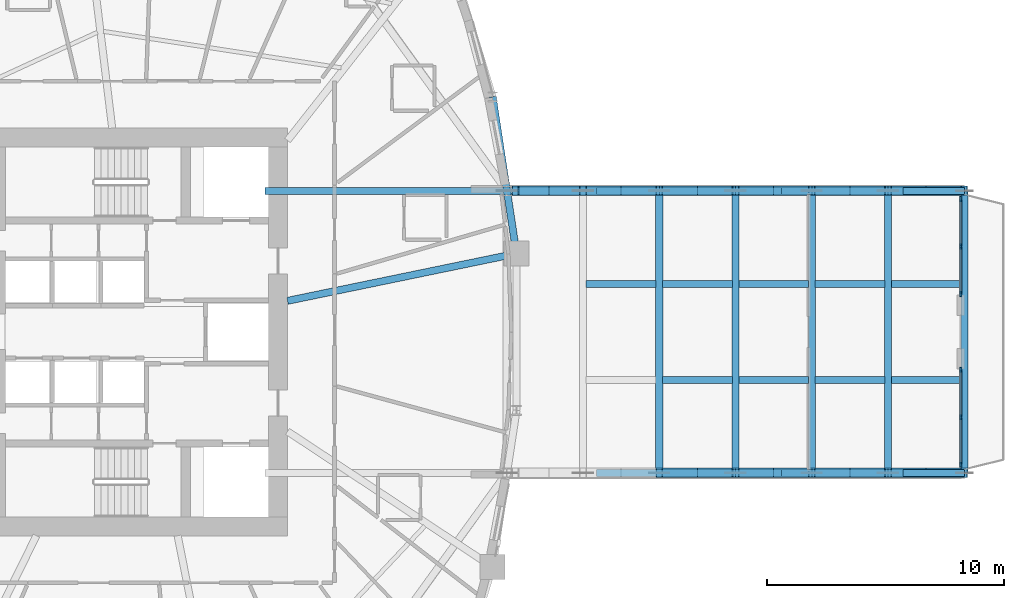
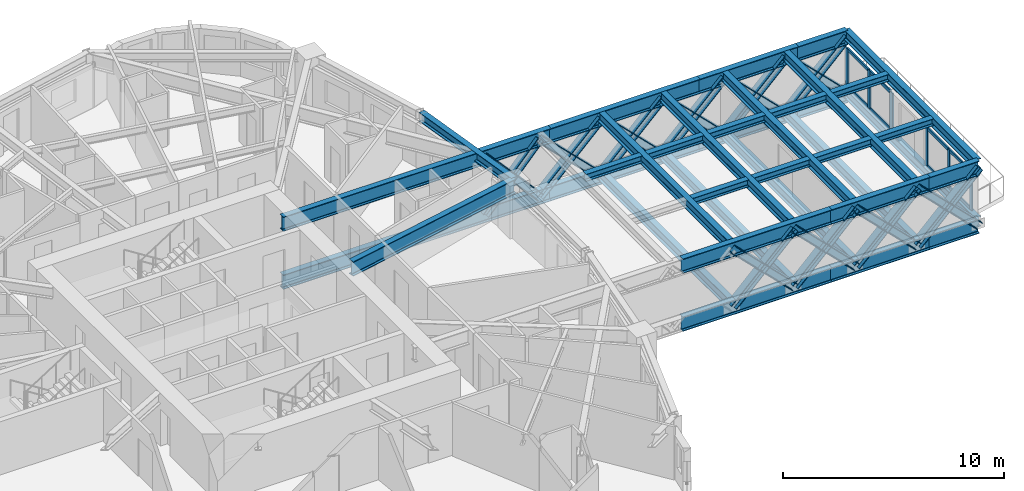
# One storey, part 2 of 18: 35 beams, 34 members, 2 elements without a shape of their own.
"""IFC4 building model written with IfcOpenShell, lengths in metres."""

from ifc_helpers import new_model, si_unit, direction, frame, origin, origin_2d, place, context, subcontext, project, spatial, rectangle, i_section, extrude, source, transform, mapped, material, layer, layer_set, material_profile, profile_set, type_object, element, aggregate, save


model = new_model("IFC4")

# Units and contexts
model_context = context("Model", 3, precision=1e-05, world=origin(), true_north=direction((0.0, 1.0)))
body_context = subcontext(model_context, "Body", "Model", "MODEL_VIEW")
ifc_project = project(units=[si_unit("LENGTHUNIT", "METRE"), si_unit("AREAUNIT", "SQUARE_METRE"), si_unit("VOLUMEUNIT", "CUBIC_METRE"), si_unit("PLANEANGLEUNIT", "RADIAN"), si_unit("MASSUNIT", "GRAM", prefix="KILO")], contexts=[model_context])

# Site, building, storey
site_placement = place(None, origin())
site = spatial("IfcSite", under=ifc_project, at=site_placement, CompositionType="ELEMENT")
building_placement = place(site_placement, origin())
building = spatial("IfcBuilding", under=site, at=building_placement, Name="Qafzar Sky-Pleat Residences", CompositionType="ELEMENT")
storey_placement = place(building_placement, frame((0.0, 0.0, 27.0)))
storey = spatial("IfcBuildingStorey", under=building, at=storey_placement, Name="L07", CompositionType="ELEMENT", Elevation=27.0)

# Beams
ifc_material_1 = material(Name="Steel S355", Category="steel")
ifc_material_profile_1 = material_profile(ifc_material_1, i_section(OverallWidth=0.300048828125, OverallDepth=0.5, WebThickness=0.014404296875, FlangeThickness=0.028076171875, FilletRadius=0.027099609375, at=origin_2d()), Name="HEB 500")
ifc_profile_set_1 = profile_set([ifc_material_profile_1], Name="Steel S355")
beam_type_1 = type_object("IfcBeamType", Name="BM-SPAN-HEB500", PredefinedType="SPANDREL", material=ifc_profile_set_1)
shared_shape_1 = source(origin(), body_context, "Body", "SweptSolid", [
    extrude(i_section(OverallWidth=0.300048828125, OverallDepth=0.5, WebThickness=0.014404296875, FlangeThickness=0.028076171875, FilletRadius=0.027099609375, at=origin_2d()), origin(), (0.0, 0.0, 1.0), 6.68896484375),
])
beam_1_placement = place(storey_placement, frame((46.360595703125, 29.306396484375, 2.68310546875), z_axis=(-0.150301631431, 0.98864018712, 0.0), x_axis=(-0.98864018712, -0.150301631431, 0.0)))
element("IfcBeam", 1, at=beam_1_placement, inside=storey, type_object=beam_type_1, Name="L07 Perimeter Spandrel Beam 11", PredefinedType="SPANDREL", context=body_context, shape_type="MappedRepresentation", body=[
    mapped(shared_shape_1, transform((0.0, 0.0, 0.0), x_axis=(1.0, 0.0, 0.0), y_axis=(0.0, 1.0, 0.0), z_axis=(0.0, 0.0, 1.0), scale=1.0)),
])
ifc_material_2 = material(Name="Steel S460", Category="steel")
ifc_material_profile_2 = material_profile(ifc_material_2, i_section(OverallWidth=0.300048828125, OverallDepth=0.800048828125, WebThickness=0.017578125, FlangeThickness=0.032958984375, FilletRadius=0.030029296875, at=origin_2d()), Name="HEB 800")
ifc_profile_set_2 = profile_set([ifc_material_profile_2], Name="Steel S460")
beam_type_2 = type_object("IfcBeamType", Name="BM-CHORD-HEB800", PredefinedType="BEAM", material=ifc_profile_set_2)
shared_shape_2 = source(origin(), body_context, "Body", "SweptSolid", [
    extrude(i_section(OverallWidth=0.300048828125, OverallDepth=0.800048828125, WebThickness=0.017578125, FlangeThickness=0.032958984375, FilletRadius=0.030029296875, at=origin_2d()), origin(), (0.0, 0.0, 1.0), 9.864501953125),
])
beam_2_placement = place(storey_placement, frame((46.360595703125, 29.306396484375, 2.532958984375), z_axis=(-0.979333503266, -0.202252044192, 0.0), x_axis=(0.202252044192, -0.979333503266, 0.0)))
element("IfcBeam", 2, at=beam_2_placement, inside=storey, type_object=beam_type_2, Name="L07 Radial Floor Girder 11", PredefinedType="BEAM", context=body_context, shape_type="MappedRepresentation", body=[
    mapped(shared_shape_2, transform((0.0, 0.0, 0.0), x_axis=(1.0, 0.0, 0.0), y_axis=(0.0, 1.0, 0.0), z_axis=(0.0, 0.0, 1.0), scale=1.0)),
])
shared_shape_3 = source(origin(), body_context, "Body", "SweptSolid", [
    extrude(i_section(OverallWidth=0.300048828125, OverallDepth=0.800048828125, WebThickness=0.017578125, FlangeThickness=0.032958984375, FilletRadius=0.030029296875, at=origin_2d()), origin(), (0.0, 0.0, 1.0), 14.0048828125),
])
for number, where, z_axis, x_axis, name in (
    (3, (35.75, 31.949951171875, 2.532958984375), (1.0, 0.0, 0.0), (0.0, 1.0, 0.0), "L07 SB-1 Truss Chord L1"),
    (4, (35.75, 31.949951171875, -0.6669921875), (1.0, 0.0, 0.0), (0.0, 1.0, 0.0), "L07 SB-1 Bottom Chord L1"),
):
    element("IfcBeam", number, at=place(storey_placement, frame(where, z_axis=z_axis, x_axis=x_axis)), inside=storey, type_object=beam_type_2, Name=name, PredefinedType="BEAM", context=body_context, shape_type="MappedRepresentation", body=[
        mapped(shared_shape_3, transform((0.0, 0.0, 0.0), x_axis=(1.0, 0.0, 0.0), y_axis=(0.0, 1.0, 0.0), z_axis=(0.0, 0.0, 1.0), scale=1.0)),
    ])
shared_shape_4 = source(origin(), body_context, "Body", "SweptSolid", [
    extrude(i_section(OverallWidth=0.300048828125, OverallDepth=0.800048828125, WebThickness=0.017578125, FlangeThickness=0.032958984375, FilletRadius=0.030029296875, at=origin_2d()), origin(), (0.0, 0.0, 1.0), 7.809814453125),
])
for number, where, z_axis, x_axis, name in (
    (5, (49.7451171875, 31.949951171875, 2.532958984375), (1.0, 0.0, 0.0), (0.0, 1.0, 0.0), "L07 SB-1 Truss Chord L2"),
    (6, (49.7451171875, 31.949951171875, -0.6669921875), (1.0, 0.0, 0.0), (0.0, 1.0, 0.0), "L07 SB-1 Bottom Chord L2"),
    (7, (49.7451171875, 20.050048828125, 2.532958984375), (1.0, 0.0, 0.0), (0.0, 1.0, 0.0), "L07 SB-1 Truss Chord R2"),
    (8, (49.7451171875, 20.050048828125, -0.6669921875), (1.0, 0.0, 0.0), (0.0, 1.0, 0.0), "L07 SB-1 Bottom Chord R2"),
):
    element("IfcBeam", number, at=place(storey_placement, frame(where, z_axis=z_axis, x_axis=x_axis)), inside=storey, type_object=beam_type_2, Name=name, PredefinedType="BEAM", context=body_context, shape_type="MappedRepresentation", body=[
        mapped(shared_shape_4, transform((0.0, 0.0, 0.0), x_axis=(1.0, 0.0, 0.0), y_axis=(0.0, 1.0, 0.0), z_axis=(0.0, 0.0, 1.0), scale=1.0)),
    ])
shared_shape_5 = source(origin(), body_context, "Body", "SweptSolid", [
    extrude(i_section(OverallWidth=0.300048828125, OverallDepth=0.800048828125, WebThickness=0.017578125, FlangeThickness=0.032958984375, FilletRadius=0.030029296875, at=origin_2d()), origin(), (0.0, 0.0, 1.0), 5.14208984375),
])
for number, where, z_axis, x_axis, name in (
    (9, (57.544921875, 31.949951171875, 2.532958984375), (1.0, 0.0, 0.0), (0.0, 1.0, 0.0), "L07 SB-1 Truss Chord L3"),
    (10, (57.544921875, 31.949951171875, -0.6669921875), (1.0, 0.0, 0.0), (0.0, 1.0, 0.0), "L07 SB-1 Bottom Chord L3"),
    (11, (57.544921875, 20.050048828125, 2.532958984375), (1.0, 0.0, 0.0), (0.0, 1.0, 0.0), "L07 SB-1 Truss Chord R3"),
    (12, (57.544921875, 20.050048828125, -0.6669921875), (1.0, 0.0, 0.0), (0.0, 1.0, 0.0), "L07 SB-1 Bottom Chord R3"),
):
    element("IfcBeam", number, at=place(storey_placement, frame(where, z_axis=z_axis, x_axis=x_axis)), inside=storey, type_object=beam_type_2, Name=name, PredefinedType="BEAM", context=body_context, shape_type="MappedRepresentation", body=[
        mapped(shared_shape_5, transform((0.0, 0.0, 0.0), x_axis=(1.0, 0.0, 0.0), y_axis=(0.0, 1.0, 0.0), z_axis=(0.0, 0.0, 1.0), scale=1.0)),
    ])
shared_shape_6 = source(origin(), body_context, "Body", "SweptSolid", [
    extrude(i_section(OverallWidth=0.300048828125, OverallDepth=0.800048828125, WebThickness=0.017578125, FlangeThickness=0.032958984375, FilletRadius=0.030029296875, at=origin_2d()), origin(), (0.0, 0.0, 1.0), 2.577392578125),
])
for number, where, z_axis, x_axis, name in (
    (13, (62.677001953125, 31.949951171875, 2.532958984375), (1.0, 0.0, 0.0), (0.0, 1.0, 0.0), "L07 SB-1 Truss Chord L4"),
    (14, (62.677001953125, 31.949951171875, -0.6669921875), (1.0, 0.0, 0.0), (0.0, 1.0, 0.0), "L07 SB-1 Bottom Chord L4"),
    (15, (62.677001953125, 20.050048828125, 2.532958984375), (1.0, 0.0, 0.0), (0.0, 1.0, 0.0), "L07 SB-1 Truss Chord R4"),
    (16, (62.677001953125, 20.050048828125, -0.6669921875), (1.0, 0.0, 0.0), (0.0, 1.0, 0.0), "L07 SB-1 Bottom Chord R4"),
):
    element("IfcBeam", number, at=place(storey_placement, frame(where, z_axis=z_axis, x_axis=x_axis)), inside=storey, type_object=beam_type_2, Name=name, PredefinedType="BEAM", context=body_context, shape_type="MappedRepresentation", body=[
        mapped(shared_shape_6, transform((0.0, 0.0, 0.0), x_axis=(1.0, 0.0, 0.0), y_axis=(0.0, 1.0, 0.0), z_axis=(0.0, 0.0, 1.0), scale=1.0)),
    ])

# Members
ifc_material_profile_3 = material_profile(ifc_material_2, i_section(OverallWidth=0.40087890625, OverallDepth=0.39892578125, WebThickness=0.02294921875, FlangeThickness=0.035888671875, FilletRadius=0.014892578125, at=origin_2d()), Name="HD 400x314")
ifc_profile_set_3 = profile_set([ifc_material_profile_3], Name="Steel S460")
member_type_1 = type_object("IfcMemberType", Name="MEM-SB-DIAG", PredefinedType="BRACE", material=ifc_profile_set_3)
shared_shape_7 = source(origin(), body_context, "Body", "SweptSolid", [
    extrude(i_section(OverallWidth=0.40087890625, OverallDepth=0.39892578125, WebThickness=0.02294921875, FlangeThickness=0.035888671875, FilletRadius=0.014892578125, at=origin_2d()), origin(), (0.0, 0.0, 1.0), 4.2900390625),
])
for number, where, z_axis, x_axis, name in (
    (17, (46.31005859375, 31.949951171875, -0.6669921875), (0.666057611592, 0.0, 0.745900300336), (0.0, 1.0, 0.0), "L07 SB-1 Truss Web Diagonal L1A"),
    (18, (46.31005859375, 31.949951171875, 2.532958984375), (0.666057611592, 0.0, -0.745900300336), (0.0, 1.0, 0.0), "L07 SB-1 Truss Web Diagonal L1B"),
):
    element("IfcMember", number, at=place(storey_placement, frame(where, z_axis=z_axis, x_axis=x_axis)), inside=storey, type_object=member_type_1, Name=name, PredefinedType="BRACE", context=body_context, shape_type="MappedRepresentation", body=[
        mapped(shared_shape_7, transform((0.0, 0.0, 0.0), x_axis=(1.0, 0.0, 0.0), y_axis=(0.0, 1.0, 0.0), z_axis=(0.0, 0.0, 1.0), scale=1.0)),
    ])
shared_shape_8 = source(origin(), body_context, "Body", "SweptSolid", [
    extrude(i_section(OverallWidth=0.40087890625, OverallDepth=0.39892578125, WebThickness=0.02294921875, FlangeThickness=0.035888671875, FilletRadius=0.014892578125, at=origin_2d()), origin(), (0.0, 0.0, 1.0), 4.53759765625),
])
for number, where, z_axis, x_axis, name in (
    (19, (49.16748046875, 31.949951171875, -0.6669921875), (0.709014203419, 0.0, 0.705194199743), (0.0, 1.0, 0.0), "L07 SB-1 Truss Web Diagonal L2A"),
    (20, (49.16748046875, 31.949951171875, 2.532958984375), (0.709014203419, 0.0, -0.705194199743), (0.0, 1.0, 0.0), "L07 SB-1 Truss Web Diagonal L2B"),
    (21, (55.602294921875, 31.949951171875, -0.6669921875), (0.709014203419, 0.0, 0.705194199743), (0.0, 1.0, 0.0), "L07 SB-1 Truss Web Diagonal L4A"),
    (22, (55.602294921875, 31.949951171875, 2.532958984375), (0.709014203419, 0.0, -0.705194199743), (0.0, 1.0, 0.0), "L07 SB-1 Truss Web Diagonal L4B"),
    (23, (62.037109375, 31.949951171875, -0.6669921875), (0.709014203419, 0.0, 0.705194199743), (0.0, 1.0, 0.0), "L07 SB-1 Truss Web Diagonal L6A"),
    (24, (62.037109375, 31.949951171875, 2.532958984375), (0.709014203419, 0.0, -0.705194199743), (0.0, 1.0, 0.0), "L07 SB-1 Truss Web Diagonal L6B"),
    (25, (55.602294921875, 20.050048828125, -0.6669921875), (0.709014203419, 0.0, 0.705194199743), (0.0, 1.0, 0.0), "L07 SB-1 Truss Web Diagonal R4A"),
    (26, (55.602294921875, 20.050048828125, 2.532958984375), (0.709014203419, 0.0, -0.705194199743), (0.0, 1.0, 0.0), "L07 SB-1 Truss Web Diagonal R4B"),
    (27, (62.037109375, 20.050048828125, -0.6669921875), (0.709014203419, 0.0, 0.705194199743), (0.0, 1.0, 0.0), "L07 SB-1 Truss Web Diagonal R6A"),
    (28, (62.037109375, 20.050048828125, 2.532958984375), (0.709014203419, 0.0, -0.705194199743), (0.0, 1.0, 0.0), "L07 SB-1 Truss Web Diagonal R6B"),
):
    element("IfcMember", number, at=place(storey_placement, frame(where, z_axis=z_axis, x_axis=x_axis)), inside=storey, type_object=member_type_1, Name=name, PredefinedType="BRACE", context=body_context, shape_type="MappedRepresentation", body=[
        mapped(shared_shape_8, transform((0.0, 0.0, 0.0), x_axis=(1.0, 0.0, 0.0), y_axis=(0.0, 1.0, 0.0), z_axis=(0.0, 0.0, 1.0), scale=1.0)),
    ])
shared_shape_9 = source(origin(), body_context, "Body", "SweptSolid", [
    extrude(i_section(OverallWidth=0.40087890625, OverallDepth=0.39892578125, WebThickness=0.02294921875, FlangeThickness=0.035888671875, FilletRadius=0.014892578125, at=origin_2d()), origin(), (0.0, 0.0, 1.0), 4.537841796875),
])
for number, where, z_axis, x_axis, name in (
    (29, (52.384765625, 31.949951171875, -0.6669921875), (0.709040957993, 0.0, 0.705167299219), (0.0, 1.0, 0.0), "L07 SB-1 Truss Web Diagonal L3A"),
    (30, (52.384765625, 31.949951171875, 2.532958984375), (0.709040957993, 0.0, -0.705167299219), (0.0, 1.0, 0.0), "L07 SB-1 Truss Web Diagonal L3B"),
    (31, (58.819580078125, 31.949951171875, -0.6669921875), (0.709040957993, 0.0, 0.705167299219), (0.0, 1.0, 0.0), "L07 SB-1 Truss Web Diagonal L5A"),
    (32, (58.819580078125, 31.949951171875, 2.532958984375), (0.709040957993, 0.0, -0.705167299219), (0.0, 1.0, 0.0), "L07 SB-1 Truss Web Diagonal L5B"),
    (33, (52.384765625, 20.050048828125, -0.6669921875), (0.709040957993, 0.0, 0.705167299219), (0.0, 1.0, 0.0), "L07 SB-1 Truss Web Diagonal R3A"),
    (34, (52.384765625, 20.050048828125, 2.532958984375), (0.709040957993, 0.0, -0.705167299219), (0.0, 1.0, 0.0), "L07 SB-1 Truss Web Diagonal R3B"),
    (35, (58.819580078125, 20.050048828125, -0.6669921875), (0.709040957993, 0.0, 0.705167299219), (0.0, 1.0, 0.0), "L07 SB-1 Truss Web Diagonal R5A"),
    (36, (58.819580078125, 20.050048828125, 2.532958984375), (0.709040957993, 0.0, -0.705167299219), (0.0, 1.0, 0.0), "L07 SB-1 Truss Web Diagonal R5B"),
):
    element("IfcMember", number, at=place(storey_placement, frame(where, z_axis=z_axis, x_axis=x_axis)), inside=storey, type_object=member_type_1, Name=name, PredefinedType="BRACE", context=body_context, shape_type="MappedRepresentation", body=[
        mapped(shared_shape_9, transform((0.0, 0.0, 0.0), x_axis=(1.0, 0.0, 0.0), y_axis=(0.0, 1.0, 0.0), z_axis=(0.0, 0.0, 1.0), scale=1.0)),
    ])

# Beams
ifc_material_profile_4 = material_profile(ifc_material_1, i_section(OverallWidth=0.300048828125, OverallDepth=0.550048828125, WebThickness=0.014892578125, FlangeThickness=0.029052734375, FilletRadius=0.027099609375, at=origin_2d()), Name="HEB 550")
ifc_profile_set_4 = profile_set([ifc_material_profile_4], Name="Steel S355")
beam_type_3 = type_object("IfcBeamType", Name="BM-GIRD-HEB550", PredefinedType="BEAM", material=ifc_profile_set_4)
shared_shape_10 = source(origin(), body_context, "Body", "SweptSolid", [
    extrude(i_section(OverallWidth=0.300048828125, OverallDepth=0.550048828125, WebThickness=0.014892578125, FlangeThickness=0.029052734375, FilletRadius=0.027099609375, at=origin_2d()), origin(), (0.0, 0.0, 1.0), 11.89990234375),
])
for number, where, z_axis, x_axis, name in (
    (37, (52.384765625, 31.949951171875, 2.657958984375), (0.0, -1.0, 0.0), (1.0, 0.0, 0.0), "L07 SB-1 Transverse Girder 2"),
    (38, (52.384765625, 31.949951171875, -0.5419921875), (0.0, -1.0, 0.0), (1.0, 0.0, 0.0), "L07 SB-1 Bottom Transverse Girder 2"),
    (39, (55.602294921875, 31.949951171875, 2.657958984375), (0.0, -1.0, 0.0), (1.0, 0.0, 0.0), "L07 SB-1 Transverse Girder 3"),
    (40, (55.602294921875, 31.949951171875, -0.5419921875), (0.0, -1.0, 0.0), (1.0, 0.0, 0.0), "L07 SB-1 Bottom Transverse Girder 3"),
    (41, (58.819580078125, 31.949951171875, 2.657958984375), (0.0, -1.0, 0.0), (1.0, 0.0, 0.0), "L07 SB-1 Transverse Girder 4"),
    (42, (58.819580078125, 31.949951171875, -0.5419921875), (0.0, -1.0, 0.0), (1.0, 0.0, 0.0), "L07 SB-1 Bottom Transverse Girder 4"),
    (43, (62.037109375, 31.949951171875, 2.657958984375), (0.0, -1.0, 0.0), (1.0, 0.0, 0.0), "L07 SB-1 Transverse Girder 5"),
    (44, (62.037109375, 31.949951171875, -0.5419921875), (0.0, -1.0, 0.0), (1.0, 0.0, 0.0), "L07 SB-1 Bottom Transverse Girder 5"),
    (45, (65.25439453125, 31.949951171875, 2.657958984375), (0.0, -1.0, 0.0), (1.0, 0.0, 0.0), "L07 SB-1 Transverse Girder 6"),
    (46, (65.25439453125, 31.949951171875, -0.5419921875), (0.0, -1.0, 0.0), (1.0, 0.0, 0.0), "L07 SB-1 Bottom Transverse Girder 6"),
):
    element("IfcBeam", number, at=place(storey_placement, frame(where, z_axis=z_axis, x_axis=x_axis)), inside=storey, type_object=beam_type_3, Name=name, PredefinedType="BEAM", context=body_context, shape_type="MappedRepresentation", body=[
        mapped(shared_shape_10, transform((0.0, 0.0, 0.0), x_axis=(1.0, 0.0, 0.0), y_axis=(0.0, 1.0, 0.0), z_axis=(0.0, 0.0, 1.0), scale=1.0)),
    ])
ifc_material_profile_5 = material_profile(ifc_material_1, i_section(OverallWidth=0.300048828125, OverallDepth=0.389892578125, WebThickness=0.010986328125, FlangeThickness=0.01904296875, FilletRadius=0.027099609375, at=origin_2d()), Name="HEA 400")
ifc_profile_set_5 = profile_set([ifc_material_profile_5], Name="Steel S355")
beam_type_4 = type_object("IfcBeamType", Name="BM-SBJ-HEA400", PredefinedType="JOIST", material=ifc_profile_set_5)
shared_shape_11 = source(origin(), body_context, "Body", "SweptSolid", [
    extrude(i_section(OverallWidth=0.300048828125, OverallDepth=0.389892578125, WebThickness=0.010986328125, FlangeThickness=0.01904296875, FilletRadius=0.027099609375, at=origin_2d()), origin(), (0.0, 0.0, 1.0), 2.947265625),
])
for number, where, z_axis, x_axis, name in (
    (47, (49.302490234375, 28.02294921875, 2.738037109375), (1.0, 0.0, 0.0), (0.0, 1.0, 0.0), "L07 SB-1 Sky-Bar Secondary Deck Joist 2.2"),
    (48, (62.172119140625, 23.97705078125, 2.738037109375), (1.0, 0.0, 0.0), (0.0, 1.0, 0.0), "L07 SB-1 Sky-Bar Secondary Deck Joist 6.1"),
    (49, (62.172119140625, 28.02294921875, 2.738037109375), (1.0, 0.0, 0.0), (0.0, 1.0, 0.0), "L07 SB-1 Sky-Bar Secondary Deck Joist 6.2"),
):
    element("IfcBeam", number, at=place(storey_placement, frame(where, z_axis=z_axis, x_axis=x_axis)), inside=storey, type_object=beam_type_4, Name=name, PredefinedType="JOIST", context=body_context, shape_type="MappedRepresentation", body=[
        mapped(shared_shape_11, transform((0.0, 0.0, 0.0), x_axis=(1.0, 0.0, 0.0), y_axis=(0.0, 1.0, 0.0), z_axis=(0.0, 0.0, 1.0), scale=1.0)),
    ])
shared_shape_12 = source(origin(), body_context, "Body", "SweptSolid", [
    extrude(i_section(OverallWidth=0.300048828125, OverallDepth=0.389892578125, WebThickness=0.010986328125, FlangeThickness=0.01904296875, FilletRadius=0.027099609375, at=origin_2d()), origin(), (0.0, 0.0, 1.0), 2.947509765625),
])
for number, where, z_axis, x_axis, name in (
    (50, (52.519775390625, 23.97705078125, 2.738037109375), (1.0, 0.0, 0.0), (0.0, 1.0, 0.0), "L07 SB-1 Sky-Bar Secondary Deck Joist 3.1"),
    (51, (52.519775390625, 28.02294921875, 2.738037109375), (1.0, 0.0, 0.0), (0.0, 1.0, 0.0), "L07 SB-1 Sky-Bar Secondary Deck Joist 3.2"),
    (52, (55.7373046875, 23.97705078125, 2.738037109375), (1.0, 0.0, 0.0), (0.0, 1.0, 0.0), "L07 SB-1 Sky-Bar Secondary Deck Joist 4.1"),
    (53, (55.7373046875, 28.02294921875, 2.738037109375), (1.0, 0.0, 0.0), (0.0, 1.0, 0.0), "L07 SB-1 Sky-Bar Secondary Deck Joist 4.2"),
    (54, (58.95458984375, 23.97705078125, 2.738037109375), (1.0, 0.0, 0.0), (0.0, 1.0, 0.0), "L07 SB-1 Sky-Bar Secondary Deck Joist 5.1"),
    (55, (58.95458984375, 28.02294921875, 2.738037109375), (1.0, 0.0, 0.0), (0.0, 1.0, 0.0), "L07 SB-1 Sky-Bar Secondary Deck Joist 5.2"),
):
    element("IfcBeam", number, at=place(storey_placement, frame(where, z_axis=z_axis, x_axis=x_axis)), inside=storey, type_object=beam_type_4, Name=name, PredefinedType="JOIST", context=body_context, shape_type="MappedRepresentation", body=[
        mapped(shared_shape_12, transform((0.0, 0.0, 0.0), x_axis=(1.0, 0.0, 0.0), y_axis=(0.0, 1.0, 0.0), z_axis=(0.0, 0.0, 1.0), scale=1.0)),
    ])

# Curtain wall, members
ifc_material_3 = material(Name="Anodised bronze aluminium framing", Category="aluminium")
ifc_layer_1 = layer(ifc_material_3, 0.239990234375)
ifc_layer_set_1 = layer_set([ifc_layer_1], Name="Anodised bronze aluminium framing")
curtain_wall_type_1 = type_object("IfcCurtainWallType", Name="CW-SYS-02", PredefinedType="NOTDEFINED", material=ifc_layer_set_1)
curtain_wall_1_placement = place(storey_placement, origin())
curtain_wall_1 = element("IfcCurtainWall", 56, at=curtain_wall_1_placement, inside=storey, type_object=curtain_wall_type_1, Name="L07 CW-02 Curtain Wall CW-L07-SB-1-PROW-L", PredefinedType="NOTDEFINED")
ifc_material_4 = material(Name="Anodised bronze aluminium", Category="aluminium")
ifc_material_profile_6 = material_profile(ifc_material_4, rectangle(XDim=0.074951171875, YDim=0.239990234375, at=origin_2d()), Name="ALU MULLION 75x240")
ifc_profile_set_6 = profile_set([ifc_material_profile_6], Name="Anodised bronze aluminium")
member_type_2 = type_object("IfcMemberType", Name="CWM-02", PredefinedType="MULLION", material=ifc_profile_set_6)
shared_shape_13 = source(origin(), body_context, "Body", "SweptSolid", [
    extrude(rectangle(XDim=0.074951171875, YDim=0.239990234375, at=origin_2d()), origin(), (0.0, 0.0, 1.0), 2.114990234375),
])
member_1_placement = place(storey_placement, frame((65.1044921875, 31.6025390625, 0.0), z_axis=(0.0, 0.0, 1.0), x_axis=(1.0, 0.0, 0.0)))
member_1 = element("IfcMember", 57, at=member_1_placement, type_object=member_type_2, Name="CW-02 mullion 1", PredefinedType="MULLION", context=body_context, shape_type="MappedRepresentation", body=[
    mapped(shared_shape_13, transform((0.0, 0.0, 0.0), x_axis=(1.0, 0.0, 0.0), y_axis=(0.0, 1.0, 0.0), z_axis=(0.0, 0.0, 1.0), scale=1.0)),
])
member_2_placement = place(storey_placement, frame((65.1044921875, 29.60009765625, 0.0), z_axis=(0.0, 0.0, 1.0), x_axis=(1.0, 0.0, 0.0)))
member_2 = element("IfcMember", 58, at=member_2_placement, type_object=member_type_2, Name="CW-02 mullion 2", PredefinedType="MULLION", context=body_context, shape_type="MappedRepresentation", body=[
    mapped(shared_shape_13, transform((0.0, 0.0, 0.0), x_axis=(1.0, 0.0, 0.0), y_axis=(0.0, 1.0, 0.0), z_axis=(0.0, 0.0, 1.0), scale=1.0)),
])
member_3_placement = place(storey_placement, frame((65.1044921875, 27.597412109375, 0.0), z_axis=(0.0, 0.0, 1.0), x_axis=(1.0, 0.0, 0.0)))
member_3 = element("IfcMember", 59, at=member_3_placement, type_object=member_type_2, Name="CW-02 mullion 3", PredefinedType="MULLION", context=body_context, shape_type="MappedRepresentation", body=[
    mapped(shared_shape_13, transform((0.0, 0.0, 0.0), x_axis=(1.0, 0.0, 0.0), y_axis=(0.0, 1.0, 0.0), z_axis=(0.0, 0.0, 1.0), scale=1.0)),
])
ifc_material_profile_7 = material_profile(ifc_material_4, rectangle(XDim=0.074951171875, YDim=0.179931640625, at=origin_2d()), Name="ALU TRANSOM 75x180")
ifc_profile_set_7 = profile_set([ifc_material_profile_7], Name="Anodised bronze aluminium")
member_type_3 = type_object("IfcMemberType", Name="CWT-02", PredefinedType="USERDEFINED", material=ifc_profile_set_7)
shared_shape_14 = source(origin(), body_context, "Body", "SweptSolid", [
    extrude(rectangle(XDim=0.074951171875, YDim=0.179931640625, at=origin_2d()), origin(), (0.0, 0.0, 1.0), 1.927490234375),
])
member_4_placement = place(storey_placement, frame((65.1044921875, 31.56494140625, 0.03759765625), z_axis=(0.0, -1.0, 0.0), x_axis=(1.0, 0.0, 0.0)))
member_4 = element("IfcMember", 60, at=member_4_placement, type_object=member_type_3, Name="CW-02 transom 1.1", ObjectType="TRANSOM", PredefinedType="USERDEFINED", context=body_context, shape_type="MappedRepresentation", body=[
    mapped(shared_shape_14, transform((0.0, 0.0, 0.0), x_axis=(1.0, 0.0, 0.0), y_axis=(0.0, 1.0, 0.0), z_axis=(0.0, 0.0, 1.0), scale=1.0)),
])
member_5_placement = place(storey_placement, frame((65.1044921875, 31.56494140625, 2.077392578125), z_axis=(0.0, -1.0, 0.0), x_axis=(1.0, 0.0, 0.0)))
member_5 = element("IfcMember", 61, at=member_5_placement, type_object=member_type_3, Name="CW-02 transom 1.2", ObjectType="TRANSOM", PredefinedType="USERDEFINED", context=body_context, shape_type="MappedRepresentation", body=[
    mapped(shared_shape_14, transform((0.0, 0.0, 0.0), x_axis=(1.0, 0.0, 0.0), y_axis=(0.0, 1.0, 0.0), z_axis=(0.0, 0.0, 1.0), scale=1.0)),
])
member_6_placement = place(storey_placement, frame((65.1044921875, 29.5625, 0.03759765625), z_axis=(0.0, -1.0, 0.0), x_axis=(1.0, 0.0, 0.0)))
member_6 = element("IfcMember", 62, at=member_6_placement, type_object=member_type_3, Name="CW-02 transom 2.1", ObjectType="TRANSOM", PredefinedType="USERDEFINED", context=body_context, shape_type="MappedRepresentation", body=[
    mapped(shared_shape_14, transform((0.0, 0.0, 0.0), x_axis=(1.0, 0.0, 0.0), y_axis=(0.0, 1.0, 0.0), z_axis=(0.0, 0.0, 1.0), scale=1.0)),
])
member_7_placement = place(storey_placement, frame((65.1044921875, 29.5625, 2.077392578125), z_axis=(0.0, -1.0, 0.0), x_axis=(1.0, 0.0, 0.0)))
member_7 = element("IfcMember", 63, at=member_7_placement, type_object=member_type_3, Name="CW-02 transom 2.2", ObjectType="TRANSOM", PredefinedType="USERDEFINED", context=body_context, shape_type="MappedRepresentation", body=[
    mapped(shared_shape_14, transform((0.0, 0.0, 0.0), x_axis=(1.0, 0.0, 0.0), y_axis=(0.0, 1.0, 0.0), z_axis=(0.0, 0.0, 1.0), scale=1.0)),
])
aggregate(curtain_wall_1, [member_1, member_2, member_3, member_4, member_5, member_6, member_7])

ifc_layer_2 = layer(ifc_material_3, 0.219970703125)
ifc_layer_set_2 = layer_set([ifc_layer_2], Name="Anodised bronze aluminium framing")
curtain_wall_type_2 = type_object("IfcCurtainWallType", Name="CW-SYS-03", PredefinedType="NOTDEFINED", material=ifc_layer_set_2)
curtain_wall_2_placement = place(storey_placement, origin())
curtain_wall_2 = element("IfcCurtainWall", 64, at=curtain_wall_2_placement, inside=storey, type_object=curtain_wall_type_2, Name="L07 CW-03 Curtain Wall CW-L07-SB-1-PROW-R", PredefinedType="NOTDEFINED")
ifc_material_profile_8 = material_profile(ifc_material_4, rectangle(XDim=0.070068359375, YDim=0.219970703125, at=origin_2d()), Name="ALU MULLION 70x220")
ifc_profile_set_8 = profile_set([ifc_material_profile_8], Name="Anodised bronze aluminium")
member_type_4 = type_object("IfcMemberType", Name="CWM-03", PredefinedType="MULLION", material=ifc_profile_set_8)
shared_shape_15 = source(origin(), body_context, "Body", "SweptSolid", [
    extrude(rectangle(XDim=0.070068359375, YDim=0.219970703125, at=origin_2d()), origin(), (0.0, 0.0, 1.0), 2.114990234375),
])
member_8_placement = place(storey_placement, frame((65.1044921875, 24.405029296875, 0.0), z_axis=(0.0, 0.0, 1.0), x_axis=(1.0, 0.0, 0.0)))
member_8 = element("IfcMember", 65, at=member_8_placement, type_object=member_type_4, Name="CW-03 mullion 1", PredefinedType="MULLION", context=body_context, shape_type="MappedRepresentation", body=[
    mapped(shared_shape_15, transform((0.0, 0.0, 0.0), x_axis=(1.0, 0.0, 0.0), y_axis=(0.0, 1.0, 0.0), z_axis=(0.0, 0.0, 1.0), scale=1.0)),
])
member_9_placement = place(storey_placement, frame((65.1044921875, 22.39990234375, 0.0), z_axis=(0.0, 0.0, 1.0), x_axis=(1.0, 0.0, 0.0)))
member_9 = element("IfcMember", 66, at=member_9_placement, type_object=member_type_4, Name="CW-03 mullion 2", PredefinedType="MULLION", context=body_context, shape_type="MappedRepresentation", body=[
    mapped(shared_shape_15, transform((0.0, 0.0, 0.0), x_axis=(1.0, 0.0, 0.0), y_axis=(0.0, 1.0, 0.0), z_axis=(0.0, 0.0, 1.0), scale=1.0)),
])
member_10_placement = place(storey_placement, frame((65.1044921875, 20.39501953125, 0.0), z_axis=(0.0, 0.0, 1.0), x_axis=(1.0, 0.0, 0.0)))
member_10 = element("IfcMember", 67, at=member_10_placement, type_object=member_type_4, Name="CW-03 mullion 3", PredefinedType="MULLION", context=body_context, shape_type="MappedRepresentation", body=[
    mapped(shared_shape_15, transform((0.0, 0.0, 0.0), x_axis=(1.0, 0.0, 0.0), y_axis=(0.0, 1.0, 0.0), z_axis=(0.0, 0.0, 1.0), scale=1.0)),
])
ifc_material_profile_9 = material_profile(ifc_material_4, rectangle(XDim=0.070068359375, YDim=0.1650390625, at=origin_2d()), Name="ALU TRANSOM 70x165")
ifc_profile_set_9 = profile_set([ifc_material_profile_9], Name="Anodised bronze aluminium")
member_type_5 = type_object("IfcMemberType", Name="CWT-03", PredefinedType="USERDEFINED", material=ifc_profile_set_9)
shared_shape_16 = source(origin(), body_context, "Body", "SweptSolid", [
    extrude(rectangle(XDim=0.070068359375, YDim=0.1650390625, at=origin_2d()), origin(), (0.0, 0.0, 1.0), 1.93505859375),
])
member_11_placement = place(storey_placement, frame((65.1044921875, 24.3701171875, 0.034912109375), z_axis=(0.0, -1.0, 0.0), x_axis=(1.0, 0.0, 0.0)))
member_11 = element("IfcMember", 68, at=member_11_placement, type_object=member_type_5, Name="CW-03 transom 1.1", ObjectType="TRANSOM", PredefinedType="USERDEFINED", context=body_context, shape_type="MappedRepresentation", body=[
    mapped(shared_shape_16, transform((0.0, 0.0, 0.0), x_axis=(1.0, 0.0, 0.0), y_axis=(0.0, 1.0, 0.0), z_axis=(0.0, 0.0, 1.0), scale=1.0)),
])
member_12_placement = place(storey_placement, frame((65.1044921875, 24.3701171875, 2.080078125), z_axis=(0.0, -1.0, 0.0), x_axis=(1.0, 0.0, 0.0)))
member_12 = element("IfcMember", 69, at=member_12_placement, type_object=member_type_5, Name="CW-03 transom 1.2", ObjectType="TRANSOM", PredefinedType="USERDEFINED", context=body_context, shape_type="MappedRepresentation", body=[
    mapped(shared_shape_16, transform((0.0, 0.0, 0.0), x_axis=(1.0, 0.0, 0.0), y_axis=(0.0, 1.0, 0.0), z_axis=(0.0, 0.0, 1.0), scale=1.0)),
])
member_13_placement = place(storey_placement, frame((65.1044921875, 22.364990234375, 0.034912109375), z_axis=(0.0, -1.0, 0.0), x_axis=(1.0, 0.0, 0.0)))
member_13 = element("IfcMember", 70, at=member_13_placement, type_object=member_type_5, Name="CW-03 transom 2.1", ObjectType="TRANSOM", PredefinedType="USERDEFINED", context=body_context, shape_type="MappedRepresentation", body=[
    mapped(shared_shape_16, transform((0.0, 0.0, 0.0), x_axis=(1.0, 0.0, 0.0), y_axis=(0.0, 1.0, 0.0), z_axis=(0.0, 0.0, 1.0), scale=1.0)),
])
member_14_placement = place(storey_placement, frame((65.1044921875, 22.364990234375, 2.080078125), z_axis=(0.0, -1.0, 0.0), x_axis=(1.0, 0.0, 0.0)))
member_14 = element("IfcMember", 71, at=member_14_placement, type_object=member_type_5, Name="CW-03 transom 2.2", ObjectType="TRANSOM", PredefinedType="USERDEFINED", context=body_context, shape_type="MappedRepresentation", body=[
    mapped(shared_shape_16, transform((0.0, 0.0, 0.0), x_axis=(1.0, 0.0, 0.0), y_axis=(0.0, 1.0, 0.0), z_axis=(0.0, 0.0, 1.0), scale=1.0)),
])
aggregate(curtain_wall_2, [member_8, member_9, member_10, member_11, member_12, member_13, member_14])

save(model, "model.ifc")
